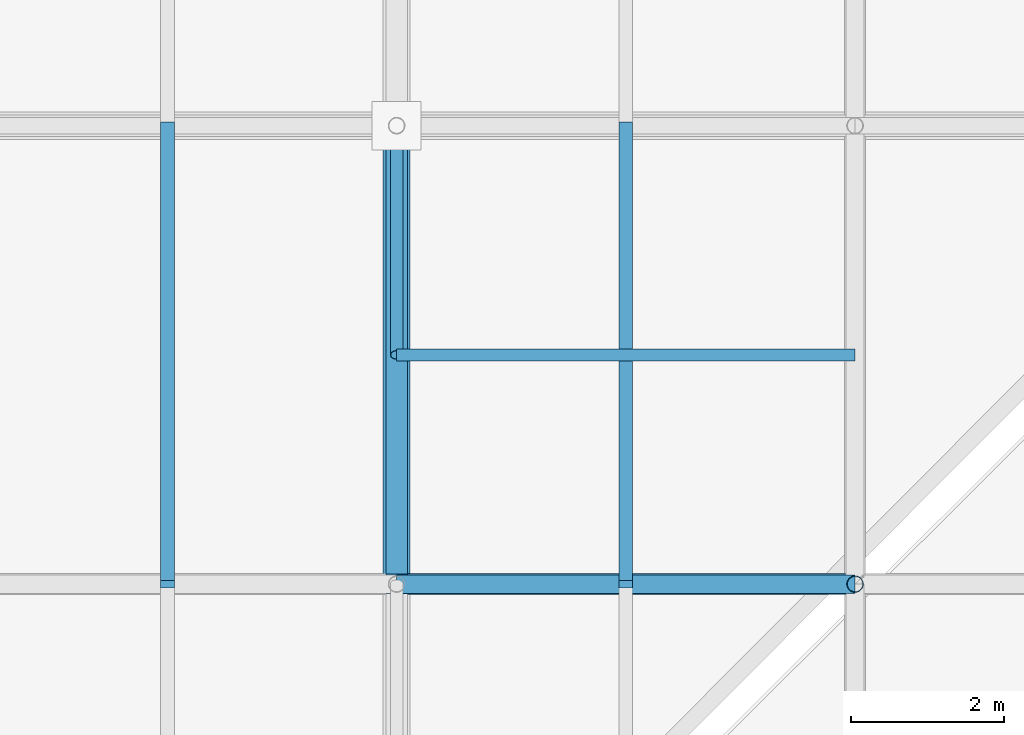
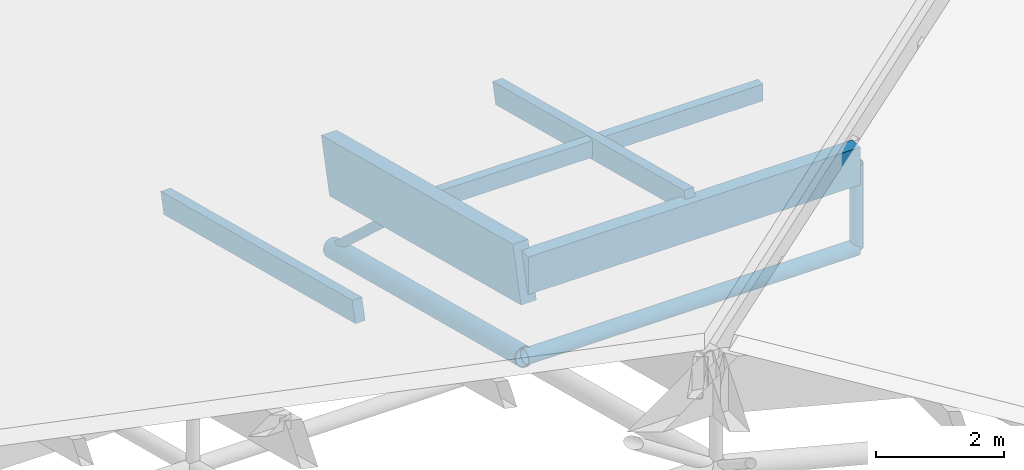
# One storey, part 63 of 80: 9 members.
"""IFC4 building model written with IfcOpenShell, lengths in metres."""

from ifc_helpers import new_model, si_unit, direction, frame, origin, origin_2d, place, context, subcontext, project, spatial, rectangle, hollow_circle, extrude, material, material_profile, profile_set, type_object, element, save


model = new_model("IFC4")

# Units and contexts
model_context = context("Model", 3, precision=1e-05, world=origin(), true_north=direction((0.0, 1.0)))
body_context = subcontext(model_context, "Body", "Model", "MODEL_VIEW")
ifc_project = project(units=[si_unit("LENGTHUNIT", "METRE"), si_unit("AREAUNIT", "SQUARE_METRE"), si_unit("VOLUMEUNIT", "CUBIC_METRE"), si_unit("PLANEANGLEUNIT", "RADIAN"), si_unit("MASSUNIT", "GRAM", prefix="KILO"), si_unit("THERMODYNAMICTEMPERATUREUNIT", "KELVIN"), si_unit("POWERUNIT", "WATT")], contexts=[model_context])

# Site, building, storey
site_placement = place(None, origin())
site = spatial("IfcSite", under=ifc_project, at=site_placement, CompositionType="ELEMENT")
building_placement = place(site_placement, origin())
building = spatial("IfcBuilding", under=site, at=building_placement, Name="Solmara Park Aquatics Centre", CompositionType="ELEMENT")
storey_placement = place(building_placement, frame((0.0, 0.0, 22.800048828125)))
storey = spatial("IfcBuildingStorey", under=building, at=storey_placement, Name="RF", CompositionType="ELEMENT", Elevation=22.800048828125)

# Members
ifc_material_1 = material(Name="Structural Steel S355", Category="steel")
ifc_material_profile_1 = material_profile(ifc_material_1, hollow_circle(Radius=0.084228515625, WallThickness=0.008056640625, at=origin_2d()), Name="CHS 168.3x8")
ifc_profile_set_1 = profile_set([ifc_material_profile_1], Name="Structural Steel S355")
member_type_1 = type_object("IfcMemberType", Name="STR-BRC-CHS168", PredefinedType="BRACE", material=ifc_profile_set_1)
member_1_placement = place(storey_placement, frame((84.60009765625, 72.60009765625, -11.141357421875), z_axis=(0.0, -0.736467121275, 0.676473339667), x_axis=(1.0, 0.0, 0.0)))
element("IfcMember", 1, at=member_1_placement, inside=storey, type_object=member_type_1, Name="Roof Truss Web Diagonal Y 2126", PredefinedType="BRACE", context=body_context, shape_type="SweptSolid", body=[
    extrude(hollow_circle(Radius=0.084228515625, WallThickness=0.008056640625, at=origin_2d()), origin(), (0.0, 0.0, 1.0), 4.073486328125),
])
ifc_material_profile_2 = material_profile(ifc_material_1, hollow_circle(Radius=0.136474609375, WallThickness=0.012451171875, at=origin_2d()), Name="CHS 273x12.5")
ifc_profile_set_2 = profile_set([ifc_material_profile_2], Name="Structural Steel S355")
member_type_2 = type_object("IfcMemberType", Name="STR-CHD-CHS273", PredefinedType="CHORD", material=ifc_profile_set_2)
member_2_placement = place(storey_placement, frame((84.60009765625, 66.60009765625, -9.58984375), z_axis=(1.0, 0.0, 0.0), x_axis=(0.0, 1.0, 0.0)))
element("IfcMember", 2, at=member_2_placement, inside=storey, type_object=member_type_2, Name="Steel Roof Truss Bottom Chord X 0426", PredefinedType="CHORD", context=body_context, shape_type="SweptSolid", body=[
    extrude(hollow_circle(Radius=0.136474609375, WallThickness=0.012451171875, at=origin_2d()), origin(), (0.0, 0.0, 1.0), 6.0),
])
ifc_material_profile_3 = material_profile(ifc_material_1, hollow_circle(Radius=0.177734375, WallThickness=0.01611328125, at=origin_2d()), Name="CHS 355.6x16")
ifc_profile_set_3 = profile_set([ifc_material_profile_3], Name="Structural Steel S355")
member_type_3 = type_object("IfcMemberType", Name="STR-CHD-CHS355", PredefinedType="CHORD", material=ifc_profile_set_3)
member_3_placement = place(storey_placement, frame((84.60009765625, 66.60009765625, -9.58984375), z_axis=(0.0, 0.968155143395, -0.250350990246), x_axis=(-1.0, 0.0, 0.0)))
element("IfcMember", 3, at=member_3_placement, inside=storey, type_object=member_type_3, Name="Steel Roof Truss Bottom Chord Y 0956", PredefinedType="CHORD", context=body_context, shape_type="SweptSolid", body=[
    extrude(hollow_circle(Radius=0.177734375, WallThickness=0.01611328125, at=origin_2d()), origin(), (0.0, 0.0, 1.0), 6.197265625),
])
ifc_material_2 = material(Name="Glulam Timber GL28h", Category="wood")
ifc_material_profile_4 = material_profile(ifc_material_2, rectangle(XDim=0.239990234375, YDim=0.719970703125, at=origin_2d()), Name="GL28h 240x720")
ifc_profile_set_4 = profile_set([ifc_material_profile_4], Name="Glulam Timber GL28h")
member_type_4 = type_object("IfcMemberType", Name="STR-CHD-GL240x720", PredefinedType="CHORD", material=ifc_profile_set_4)
member_4_placement = place(storey_placement, frame((84.60009765625, 66.60009765625, -7.9697265625), z_axis=(1.0, 0.0, 0.0), x_axis=(0.0, 1.0, 0.0)))
element("IfcMember", 4, at=member_4_placement, inside=storey, type_object=member_type_4, Name="Glulam Roof Truss Top Chord X 0425", PredefinedType="CHORD", context=body_context, shape_type="SweptSolid", body=[
    extrude(rectangle(XDim=0.239990234375, YDim=0.719970703125, at=origin_2d()), origin(), (0.0, 0.0, 1.0), 6.0),
])
ifc_material_profile_5 = material_profile(ifc_material_2, rectangle(XDim=0.280029296875, YDim=1.0400390625, at=origin_2d()), Name="GL28h 280x1040")
ifc_profile_set_5 = profile_set([ifc_material_profile_5], Name="Glulam Timber GL28h")
member_type_5 = type_object("IfcMemberType", Name="STR-CHD-GL280x1040", PredefinedType="CHORD", material=ifc_profile_set_5)
member_5_placement = place(storey_placement, frame((84.60009765625, 66.60009765625, -7.9697265625), z_axis=(0.0, 0.968145594442, -0.250387914969), x_axis=(-1.0, 0.0, 0.0)))
element("IfcMember", 5, at=member_5_placement, inside=storey, type_object=member_type_5, Name="Glulam Roof Truss Top Chord Y 0955", PredefinedType="CHORD", context=body_context, shape_type="SweptSolid", body=[
    extrude(rectangle(XDim=0.280029296875, YDim=1.0400390625, at=origin_2d()), origin(), (0.0, 0.0, 1.0), 6.197509765625),
])
ifc_material_profile_6 = material_profile(ifc_material_2, rectangle(XDim=0.159912109375, YDim=0.320068359375, at=origin_2d()), Name="GL28h 160x320")
ifc_profile_set_6 = profile_set([ifc_material_profile_6], Name="Glulam Timber GL28h")
member_type_6 = type_object("IfcMemberType", Name="STR-PRL-GL160x320", PredefinedType="PURLIN", material=ifc_profile_set_6)
member_6_placement = place(storey_placement, frame((84.60009765625, 69.60009765625, -8.40576171875), z_axis=(1.0, 0.0, 0.0), x_axis=(0.0, 1.0, 0.0)))
element("IfcMember", 6, at=member_6_placement, inside=storey, type_object=member_type_6, Name="Glulam Secondary Roof Purlin 2115", PredefinedType="PURLIN", context=body_context, shape_type="SweptSolid", body=[
    extrude(rectangle(XDim=0.159912109375, YDim=0.320068359375, at=origin_2d()), origin(), (0.0, 0.0, 1.0), 6.0),
])
ifc_material_profile_7 = material_profile(ifc_material_2, rectangle(XDim=0.179931640625, YDim=0.39990234375, at=origin_2d()), Name="GL28h 180x400")
ifc_profile_set_7 = profile_set([ifc_material_profile_7], Name="Glulam Timber GL28h")
member_type_7 = type_object("IfcMemberType", Name="STR-PRL-GL180x400", PredefinedType="PURLIN", material=ifc_profile_set_7)
for number, where, z_axis, x_axis, name in (
    (7, (81.60009765625, 66.60009765625, -7.649658203125), (0.0, 0.968145594442, -0.250387914969), (-1.0, 0.0, 0.0), "Glulam Roof Purlin 1722"),
    (8, (87.60009765625, 66.60009765625, -7.649658203125), (0.0, 0.968145594442, -0.250387914969), (-1.0, 0.0, 0.0), "Glulam Roof Purlin 1750"),
):
    element("IfcMember", number, at=place(storey_placement, frame(where, z_axis=z_axis, x_axis=x_axis)), inside=storey, type_object=member_type_7, Name=name, PredefinedType="PURLIN", context=body_context, shape_type="SweptSolid", body=[
        extrude(rectangle(XDim=0.179931640625, YDim=0.39990234375, at=origin_2d()), origin(), (0.0, 0.0, 1.0), 6.197509765625),
    ])
ifc_material_profile_8 = material_profile(ifc_material_1, hollow_circle(Radius=0.109619140625, WallThickness=0.010009765625, at=origin_2d()), Name="CHS 219.1x10")
ifc_profile_set_8 = profile_set([ifc_material_profile_8], Name="Structural Steel S355")
member_type_8 = type_object("IfcMemberType", Name="STR-PST-CHS219", PredefinedType="POST", material=ifc_profile_set_8)
member_7_placement = place(storey_placement, frame((90.60009765625, 66.60009765625, -9.58984375), z_axis=(0.0, 0.0, 1.0), x_axis=(1.0, 0.0, 0.0)))
element("IfcMember", 9, at=member_7_placement, inside=storey, type_object=member_type_8, Name="Roof Truss Web Post 1302", PredefinedType="POST", context=body_context, shape_type="SweptSolid", body=[
    extrude(hollow_circle(Radius=0.109619140625, WallThickness=0.010009765625, at=origin_2d()), origin(), (0.0, 0.0, 1.0), 1.6201171875),
])

save(model, "model.ifc")
